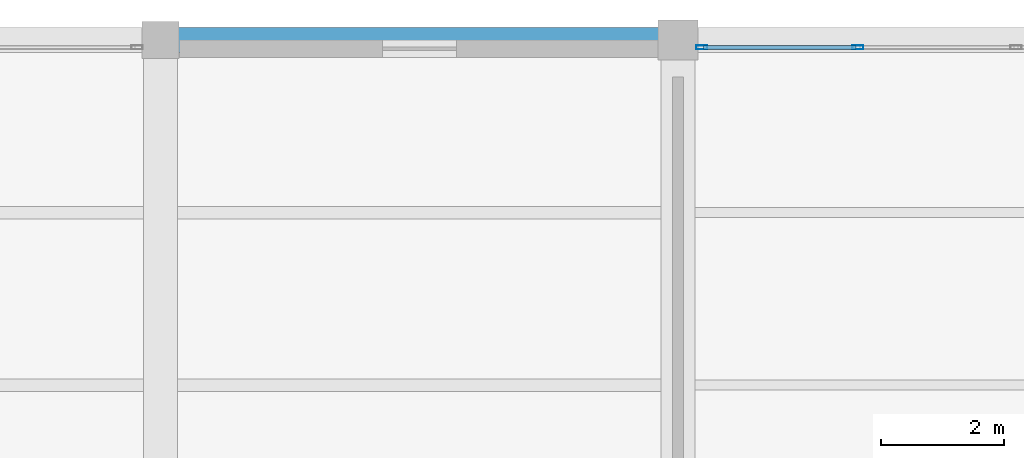
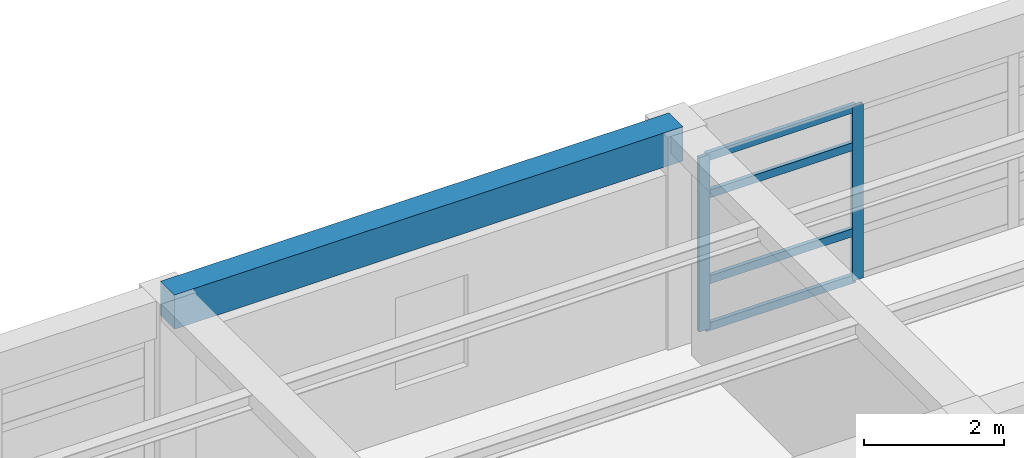
# One storey, part 18 of 26: 6 members, 1 beam, 1 element without a shape of its own.
"""IFC4 building model written with IfcOpenShell, lengths in metres."""

from ifc_helpers import new_model, si_unit, direction, frame, origin, origin_2d, place, context, subcontext, project, spatial, rectangle, hollow_rectangle, extrude, material, material_profile, profile_set, type_object, element, aggregate, save


model = new_model("IFC4")

# Units and contexts
model_context = context("Model", 3, precision=1e-05, world=origin(), true_north=direction((0.0, 1.0)))
body_context = subcontext(model_context, "Body", "Model", "MODEL_VIEW")
ifc_project = project(units=[si_unit("LENGTHUNIT", "METRE"), si_unit("AREAUNIT", "SQUARE_METRE"), si_unit("VOLUMEUNIT", "CUBIC_METRE"), si_unit("PLANEANGLEUNIT", "RADIAN"), si_unit("MASSUNIT", "GRAM", prefix="KILO")], contexts=[model_context])

# Site, building, storey
site_placement = place(None, origin())
site = spatial("IfcSite", under=ifc_project, at=site_placement, CompositionType="ELEMENT")
building_placement = place(site_placement, origin())
building = spatial("IfcBuilding", under=site, at=building_placement, Name="Almacenes y Pasaje Nevantli", CompositionType="ELEMENT")
storey_placement = place(building_placement, frame((0.0, 0.0, 54.699951171875)))
storey = spatial("IfcBuildingStorey", under=building, at=storey_placement, Name="L13", CompositionType="ELEMENT", Elevation=54.699951171875)

# Beam
ifc_material_1 = material(Name="Concrete C35/45", Category="concrete")
ifc_material_profile_1 = material_profile(ifc_material_1, rectangle(XDim=0.39990234375, YDim=0.60009765625, at=origin_2d()), Name="RC-BM-400x600")
ifc_profile_set_1 = profile_set([ifc_material_profile_1], Name="Concrete C35/45")
beam_type = type_object("IfcBeamType", Name="BM-RC-400x600", PredefinedType="SPANDREL", material=ifc_profile_set_1)
beam_placement = place(storey_placement, frame((126.0, 100.800048828125, 3.420166015625), z_axis=(1.0, 0.0, 0.0), x_axis=(0.0, 1.0, 0.0)))
element("IfcBeam", 1, at=beam_placement, inside=storey, type_object=beam_type, Name="L13 East-West Reinforced Concrete Beam #3959", PredefinedType="SPANDREL", context=body_context, shape_type="SweptSolid", body=[
    extrude(rectangle(XDim=0.39990234375, YDim=0.60009765625, at=origin_2d()), origin(), (0.0, 0.0, 1.0), 8.39990234375),
])

# Curtain wall, members
ifc_material_2 = material(Name="Thermally Broken Aluminium and Low-E Glass", Category="aluminium")
curtain_wall_type = type_object("IfcCurtainWallType", Name="CW-UNIT-TOWER", PredefinedType="USERDEFINED", material=ifc_material_2)
curtain_wall_placement = place(storey_placement, origin())
curtain_wall = element("IfcCurtainWall", 2, at=curtain_wall_placement, inside=storey, type_object=curtain_wall_type, Name="L13 Tower North Boulevard Unitized Curtain Wall Bay 17", ObjectType="UNITIZED CURTAIN WALL", PredefinedType="USERDEFINED")
ifc_material_3 = material(Name="Thermally Broken Anodized Aluminium", Category="aluminium")
ifc_material_profile_2 = material_profile(ifc_material_3, hollow_rectangle(XDim=0.06494140625, YDim=0.179931640625, WallThickness=0.00390625, at=origin_2d()), Name="ALU-MUL-65x180")
ifc_profile_set_2 = profile_set([ifc_material_profile_2], Name="Thermally Broken Anodized Aluminium")
member_type_1 = type_object("IfcMemberType", Name="CW-MUL-200", PredefinedType="MULLION", material=ifc_profile_set_2)
member_1_placement = place(storey_placement, frame((134.782470703125, 100.679931640625, 0.0), z_axis=(0.0, 0.0, 1.0), x_axis=(0.0, 1.0, 0.0)))
member_1 = element("IfcMember", 3, at=member_1_placement, type_object=member_type_1, Name="CW-L13-170 mullion 1", PredefinedType="MULLION", context=body_context, shape_type="SweptSolid", body=[
    extrude(hollow_rectangle(XDim=0.06494140625, YDim=0.179931640625, WallThickness=0.00390625, at=origin_2d()), origin(), (0.0, 0.0, 1.0), 3.0400390625),
])
member_2_placement = place(storey_placement, frame((137.316650390625, 100.679931640625, 0.0), z_axis=(0.0, 0.0, 1.0), x_axis=(0.0, 1.0, 0.0)))
member_2 = element("IfcMember", 4, at=member_2_placement, type_object=member_type_1, Name="CW-L13-170 mullion 2", PredefinedType="MULLION", context=body_context, shape_type="SweptSolid", body=[
    extrude(hollow_rectangle(XDim=0.06494140625, YDim=0.179931640625, WallThickness=0.00390625, at=origin_2d()), origin(), (0.0, 0.0, 1.0), 3.0400390625),
])
ifc_material_4 = material(Name="Thermally Broken Anodized Aluminium", Category="aluminium")
ifc_material_profile_3 = material_profile(ifc_material_4, hollow_rectangle(XDim=0.06494140625, YDim=0.139892578125, WallThickness=0.00390625, at=origin_2d()), Name="ALU-TRN-65x140")
ifc_profile_set_3 = profile_set([ifc_material_profile_3], Name="Thermally Broken Anodized Aluminium")
member_type_2 = type_object("IfcMemberType", Name="CW-TRN-150", PredefinedType="USERDEFINED", material=ifc_profile_set_3)
member_3_placement = place(storey_placement, frame((134.81494140625, 100.679931640625, 0.032470703125), z_axis=(1.0, 0.0, 0.0), x_axis=(0.0, 1.0, 0.0)))
member_3 = element("IfcMember", 5, at=member_3_placement, type_object=member_type_2, Name="CW-L13-170 transom 1.1", ObjectType="TRANSOM", PredefinedType="USERDEFINED", context=body_context, shape_type="SweptSolid", body=[
    extrude(hollow_rectangle(XDim=0.06494140625, YDim=0.139892578125, WallThickness=0.00390625, at=origin_2d()), origin(), (0.0, 0.0, 1.0), 2.46923828125),
])
member_4_placement = place(storey_placement, frame((134.81494140625, 100.679931640625, 0.85009765625), z_axis=(1.0, 0.0, 0.0), x_axis=(0.0, 1.0, 0.0)))
member_4 = element("IfcMember", 6, at=member_4_placement, type_object=member_type_2, Name="CW-L13-170 transom 1.2", ObjectType="TRANSOM", PredefinedType="USERDEFINED", context=body_context, shape_type="SweptSolid", body=[
    extrude(hollow_rectangle(XDim=0.06494140625, YDim=0.139892578125, WallThickness=0.00390625, at=origin_2d()), origin(), (0.0, 0.0, 1.0), 2.46923828125),
])
member_5_placement = place(storey_placement, frame((134.81494140625, 100.679931640625, 2.35009765625), z_axis=(1.0, 0.0, 0.0), x_axis=(0.0, 1.0, 0.0)))
member_5 = element("IfcMember", 7, at=member_5_placement, type_object=member_type_2, Name="CW-L13-170 transom 1.3", ObjectType="TRANSOM", PredefinedType="USERDEFINED", context=body_context, shape_type="SweptSolid", body=[
    extrude(hollow_rectangle(XDim=0.06494140625, YDim=0.139892578125, WallThickness=0.00390625, at=origin_2d()), origin(), (0.0, 0.0, 1.0), 2.46923828125),
])
member_6_placement = place(storey_placement, frame((134.81494140625, 100.679931640625, 3.007568359375), z_axis=(1.0, 0.0, 0.0), x_axis=(0.0, 1.0, 0.0)))
member_6 = element("IfcMember", 8, at=member_6_placement, type_object=member_type_2, Name="CW-L13-170 transom 1.4", ObjectType="TRANSOM", PredefinedType="USERDEFINED", context=body_context, shape_type="SweptSolid", body=[
    extrude(hollow_rectangle(XDim=0.06494140625, YDim=0.139892578125, WallThickness=0.00390625, at=origin_2d()), origin(), (0.0, 0.0, 1.0), 2.46923828125),
])
aggregate(curtain_wall, [member_1, member_2, member_3, member_4, member_5, member_6])

save(model, "model.ifc")
